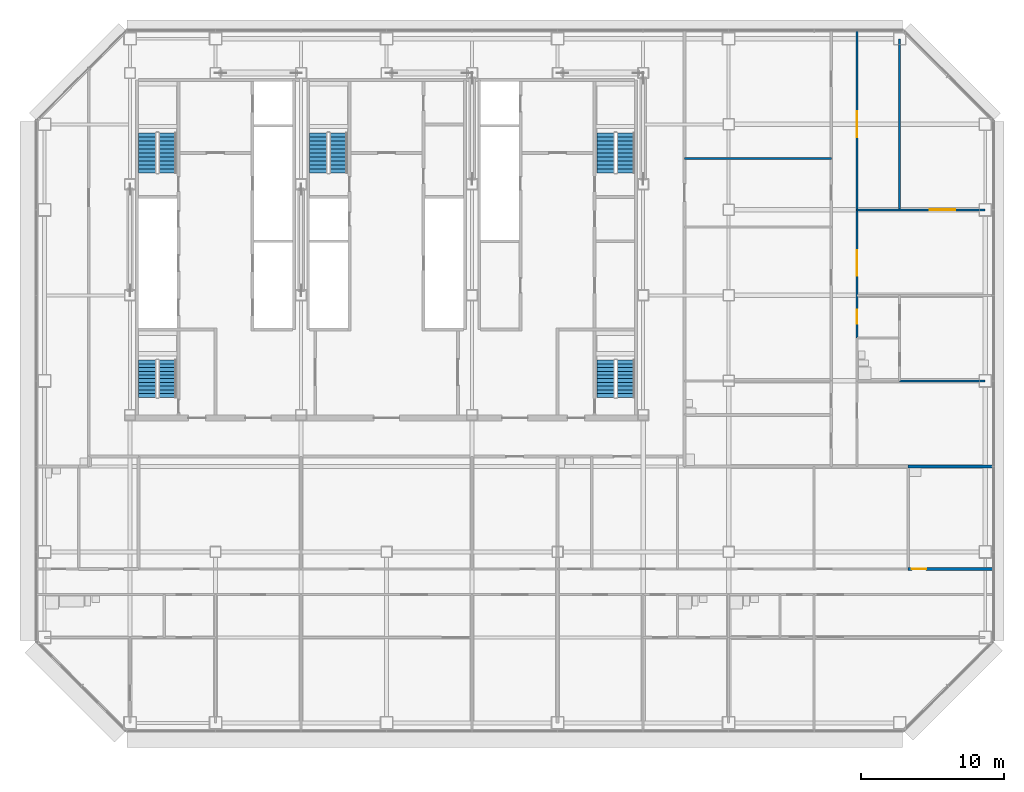
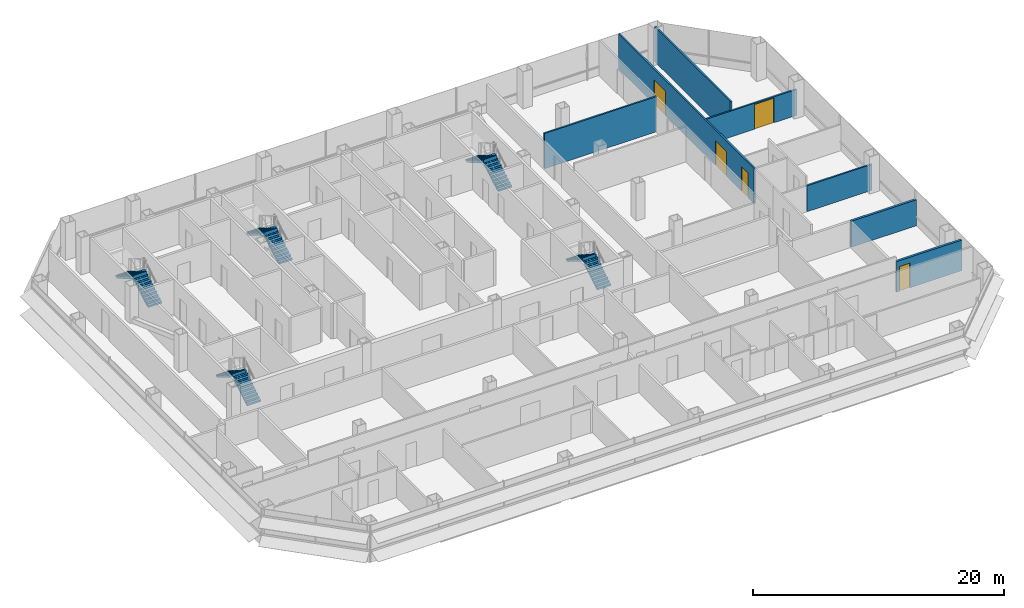
# One storey, part 24 of 27: 10 stair flights, 7 walls, 5 doors, 5 openings, 5 elements without a shape of their own.
"""IFC4 building model written with IfcOpenShell, lengths in metres."""

import ifcopenshell
import ifcopenshell.guid

model = None  # the IFC model being written
_history = None  # IfcOwnerHistory: only IFC2X3 demands one
_inside = {}  # id of a spatial element -> (the spatial element, [elements in it])
_under = {}  # id of a project, library or spatial element -> (it, [spatial elements below it])
_declared = {}  # id of a project -> (the project, [libraries it declares])
_typed = {}  # id of a type object -> (the type object, [elements of that type])
_made_of = {}  # id of a material, layer set ... -> (it, [elements and type objects made of it])


def new_model(schema):
    """Start an empty IFC model of exactly this schema.

    Asked for "IFC4X3", IfcOpenShell would pick the latest addendum, in which some entities
    have other attributes; the version numbers below select the first issue.
    IFC2X3 requires an IfcOwnerHistory on every rooted entity: one is made here for all.
    """
    global model, _history
    if schema == "IFC4X3":
        model = ifcopenshell.file(schema_version=(4, 3, 0, 0))
    else:
        model = ifcopenshell.file(schema=schema)
    _inside.clear()
    _under.clear()
    _declared.clear()
    _typed.clear()
    _made_of.clear()
    _history = None
    if model.schema == "IFC2X3":
        org = make("IfcOrganization", Name="unknown")
        user = make(
            "IfcPersonAndOrganization",
            ThePerson=make("IfcPerson", FamilyName="unknown"),
            TheOrganization=org,
        )
        app = make(
            "IfcApplication",
            ApplicationDeveloper=org,
            Version="unknown",
            ApplicationFullName="unknown",
            ApplicationIdentifier="unknown",
        )
        _history = make(
            "IfcOwnerHistory",
            OwningUser=user,
            OwningApplication=app,
            ChangeAction="ADDED",
            CreationDate=0,
        )
    return model


def make(cls, **values):
    """One entity of the class cls with the attributes given. An attribute that is None is left unset."""
    return model.create_entity(
        cls, **{name: value for name, value in values.items() if value is not None}
    )


def rooted(cls, **values):
    """An entity with a GlobalId (a new one), such as an element, a storey or a relation."""
    return make(cls, GlobalId=ifcopenshell.guid.new(), OwnerHistory=_history, **values)


def si_unit(unit_type, name, prefix=None):
    """IfcSIUnit, for example si_unit("LENGTHUNIT", "METRE", prefix="MILLI")."""
    return make("IfcSIUnit", UnitType=unit_type, Prefix=prefix, Name=name)


def assignment(units):
    """IfcUnitAssignment: the units of a project."""
    return None if units is None else make("IfcUnitAssignment", Units=units)


def point(xyz):
    """IfcCartesianPoint."""
    return None if xyz is None else make("IfcCartesianPoint", Coordinates=xyz)


def direction(xyz):
    """IfcDirection."""
    return None if xyz is None else make("IfcDirection", DirectionRatios=xyz)


def frame(location, z_axis=None, x_axis=None):
    """IfcAxis2Placement3D, a coordinate frame: its origin and axes. An axis left out is left unset."""
    return make(
        "IfcAxis2Placement3D",
        Location=point(location),
        Axis=direction(z_axis),
        RefDirection=direction(x_axis),
    )


def frame_2d(location, x_axis=None):
    """IfcAxis2Placement2D, a coordinate frame in the plane: its origin and x axis."""
    return make(
        "IfcAxis2Placement2D", Location=point(location), RefDirection=direction(x_axis)
    )


def origin():
    """The frame at (0, 0, 0) with its axes left unset."""
    return frame((0.0, 0.0, 0.0))


def place(relative_to, where):
    """IfcLocalPlacement: puts the frame where relative to a parent placement (None: the world)."""
    return make(
        "IfcLocalPlacement", PlacementRelTo=relative_to, RelativePlacement=where
    )


def context(
    kind, dimensions, precision=None, world=None, true_north=None, identifier=None
):
    """IfcGeometricRepresentationContext, for example the 3D "Model" context."""
    return make(
        "IfcGeometricRepresentationContext",
        ContextIdentifier=identifier,
        ContextType=kind,
        CoordinateSpaceDimension=dimensions,
        Precision=precision,
        WorldCoordinateSystem=world,
        TrueNorth=true_north,
    )


def subcontext(parent, identifier, kind, view, scale=None):
    """IfcGeometricRepresentationSubContext, for example "Body" below "Model"."""
    return make(
        "IfcGeometricRepresentationSubContext",
        ContextIdentifier=identifier,
        ContextType=kind,
        ParentContext=parent,
        TargetScale=scale,
        TargetView=view,
    )


def project(units=None, contexts=None):
    """IfcProject with its units and contexts."""
    return rooted(
        "IfcProject",
        Name="project",
        RepresentationContexts=contexts,
        UnitsInContext=assignment(units),
    )


def spatial(cls, under=None, at=None, **own):
    """A site, building, storey or space (cls), placed at a placement, below another one or the project."""
    s = rooted(cls, ObjectPlacement=at, **own)
    if under is not None:
        _under.setdefault(under.id(), (under, []))[1].append(s)
    return s


def polyline(points):
    """IfcPolyline through the points."""
    return make("IfcPolyline", Points=[point(p) for p in points])


def profile(cls, at=None, kind="AREA", **sizes):
    """A parametric profile (cls). Its sizes go by their IFC names, for example OverallWidth=200.0."""
    return make(cls, ProfileType=kind, Position=at, **sizes)


def rectangle(**sizes):
    """IfcRectangleProfileDef."""
    return profile("IfcRectangleProfileDef", **sizes)


def outline(outer, holes=None, kind="AREA"):
    """IfcArbitraryClosedProfileDef: a profile drawn as a closed curve; with holes, ...WithVoids."""
    if holes is None:
        return make("IfcArbitraryClosedProfileDef", ProfileType=kind, OuterCurve=outer)
    return make(
        "IfcArbitraryProfileDefWithVoids",
        ProfileType=kind,
        OuterCurve=outer,
        InnerCurves=holes,
    )


def extrude(swept, where, along, depth):
    """IfcExtrudedAreaSolid: the profile swept, set in the frame where, extruded along a direction by depth."""
    return make(
        "IfcExtrudedAreaSolid",
        SweptArea=swept,
        Position=where,
        ExtrudedDirection=direction(along),
        Depth=depth,
    )


def shape(context_of_items, identifier, shape_type, items):
    """IfcShapeRepresentation: the items that make up one representation, for example the "Body"."""
    return make(
        "IfcShapeRepresentation",
        ContextOfItems=context_of_items,
        RepresentationIdentifier=identifier,
        RepresentationType=shape_type,
        Items=items,
    )


def material(Name=None, Category=None):
    """IfcMaterial."""
    return make("IfcMaterial", Name=Name, Category=Category)


def layer(
    of_material, thickness, ventilated=None, Name=None, Category=None, Priority=None
):
    """IfcMaterialLayer: one layer of a wall or slab, of a material (None: an air gap)."""
    return make(
        "IfcMaterialLayer",
        Material=of_material,
        LayerThickness=thickness,
        IsVentilated=ventilated,
        Name=Name,
        Category=Category,
        Priority=Priority,
    )


def layer_set(layers, Name=None):
    """IfcMaterialLayerSet."""
    return make("IfcMaterialLayerSet", MaterialLayers=layers, LayerSetName=Name)


def made_of(thing, what):
    """Note that an element or type object is made of a material, layer set ...; save() writes the relation."""
    if what is not None:
        _made_of.setdefault(what.id(), (what, []))[1].append(thing)
    return thing


def type_object(cls, material=None, **own):
    """A type object (cls), such as IfcWallType, which elements share."""
    return made_of(rooted(cls, **own), material)


def element(
    cls,
    number,
    at=None,
    inside=None,
    cuts=None,
    type_object=None,
    material=None,
    context=None,
    identifier="Body",
    shape_type=None,
    held_by="IfcProductDefinitionShape",
    body=None,
    shapes=None,
    **own,
):
    """One element of the class cls, such as IfcWall. Its Tag is "e" and its number.

    at: its placement. inside: the storey or other place that contains it. cuts: it is an
    opening in that element (IfcRelVoidsElement). A single representation is given by context,
    identifier, shape_type and body (its items); several are given by shapes. held_by: the class
    of the entity that holds the representations. save() writes the other relations.
    """
    e = rooted(cls, Tag="e%d" % number, ObjectPlacement=at, **own)
    if body is not None:
        shapes = [shape(context, identifier, shape_type, body)]
    if shapes is not None:
        e.Representation = make(held_by, Representations=shapes)
    if inside is not None:
        _inside.setdefault(inside.id(), (inside, []))[1].append(e)
    if cuts is not None:
        rooted(
            "IfcRelVoidsElement", RelatingBuildingElement=cuts, RelatedOpeningElement=e
        )
    if type_object is not None:
        _typed.setdefault(type_object.id(), (type_object, []))[1].append(e)
    return made_of(e, material)


def fill(opening, filler):
    """IfcRelFillsElement: the door or window that sits in an opening."""
    return rooted(
        "IfcRelFillsElement",
        RelatingOpeningElement=opening,
        RelatedBuildingElement=filler,
    )


def aggregate(whole, parts):
    """IfcRelAggregates: a whole, such as a stair, and the parts it consists of."""
    return rooted("IfcRelAggregates", RelatingObject=whole, RelatedObjects=parts)


def save(model, path):
    """Write the relations noted so far, then the file.

    IfcRelAggregates (storeys below a building ...), IfcRelContainedInSpatialStructure (elements
    in a storey), IfcRelDefinesByType, IfcRelAssociatesMaterial and IfcRelDeclares: one each for
    every whole, place, type object, material and project.
    """
    for whole, parts in _under.values():
        aggregate(whole, parts)
    for where, things in _inside.values():
        rooted(
            "IfcRelContainedInSpatialStructure",
            RelatedElements=things,
            RelatingStructure=where,
        )
    for kind, things in _typed.values():
        rooted("IfcRelDefinesByType", RelatedObjects=things, RelatingType=kind)
    for what, things in _made_of.values():
        rooted("IfcRelAssociatesMaterial", RelatedObjects=things, RelatingMaterial=what)
    for by, libraries in _declared.values():
        rooted("IfcRelDeclares", RelatingContext=by, RelatedDefinitions=libraries)
    model.write(path)


model = new_model("IFC4")

# Units and contexts
model_context = context("Model", 3, precision=1e-05, world=origin(), true_north=direction((0.0, 1.0)))
body_context = subcontext(model_context, "Body", "Model", "MODEL_VIEW")
ifc_project = project(units=[si_unit("LENGTHUNIT", "METRE"), si_unit("AREAUNIT", "SQUARE_METRE"), si_unit("VOLUMEUNIT", "CUBIC_METRE"), si_unit("PLANEANGLEUNIT", "RADIAN"), si_unit("MASSUNIT", "GRAM", prefix="KILO")], contexts=[model_context])

# Site, building, storey
site_placement = place(None, origin())
site = spatial("IfcSite", under=ifc_project, at=site_placement, CompositionType="ELEMENT")
building_placement = place(site_placement, origin())
building = spatial("IfcBuilding", under=site, at=building_placement, Name="Sorahane Residences", CompositionType="ELEMENT")
storey_placement = place(building_placement, frame((0.0, 0.0, 53.39990234375)))
storey = spatial("IfcBuildingStorey", under=building, at=storey_placement, Name="L09", CompositionType="ELEMENT", Elevation=53.39990234375)

# Wall, opening, door
ifc_material_1 = material(Name="Concrete blockwork C20 wall", Category="masonry")
ifc_layer_1 = layer(ifc_material_1, 0.199951171875)
ifc_layer_set_1 = layer_set([ifc_layer_1], Name="Kitchen wall 200 EI 180")
wall_type_1 = type_object("IfcWallType", Name="Kitchen wall 200 EI 180", PredefinedType="SOLIDWALL", material=ifc_layer_set_1)
wall_1_placement = place(storey_placement, frame((60.60009765625, 10.800048828125, 0.0), z_axis=(0.0, 0.0, 1.0), x_axis=(1.0, 0.0, 0.0)))
wall_1 = element("IfcWall", 1, at=wall_1_placement, inside=storey, type_object=wall_type_1, Name="L09 kitchen wall", PredefinedType="SOLIDWALL", context=body_context, shape_type="SweptSolid", body=[
    extrude(rectangle(XDim=6.0, YDim=0.199951171875, at=frame_2d((3.0, 0.0))), origin(), (0.0, 0.0, 1.0), 2.97021484375),
])
opening_1_placement = place(wall_1_placement, frame((0.25, 0.0, 0.0)))
opening_1 = element("IfcOpeningElement", 2, at=opening_1_placement, cuts=wall_1, Name="Opening L09-18", PredefinedType="OPENING", context=body_context, shape_type="SweptSolid", body=[
    extrude(rectangle(XDim=1.0, YDim=2.39990234375, at=frame_2d((0.5, 1.199951171875))), frame((0.0, 0.10986328125, 0.0), z_axis=(0.0, -1.0, 0.0), x_axis=(1.0, 0.0, 0.0)), (0.0, 0.0, 1.0), 0.219970703125),
])
ifc_material_2 = material(Name="Steel", Category="steel")
door_type_1 = type_object("IfcDoorType", Name="Kitchen door 1000x2400 FD120", OperationType="NOTDEFINED", PredefinedType="DOOR", material=ifc_material_2)
door_1_placement = place(opening_1_placement, origin())
door_1 = element("IfcDoor", 3, at=door_1_placement, inside=storey, type_object=door_type_1, Name="Kitchen door L09-18", OperationType="SINGLE_SWING_RIGHT", OverallHeight=2.39990234375, OverallWidth=1.0, PredefinedType="DOOR", context=body_context, shape_type="SweptSolid", body=[
    extrude(rectangle(XDim=1.0, YDim=2.39990234375, at=frame_2d((0.5, 1.199951171875))), frame((0.0, 0.02490234375, 0.0), z_axis=(0.0, -1.0, 0.0), x_axis=(1.0, 0.0, 0.0)), (0.0, 0.0, 1.0), 0.050048828125),
])
fill(opening_1, door_1)

# Wall
wall_2_placement = place(storey_placement, frame((60.60009765625, 18.0, 0.0), z_axis=(0.0, 0.0, 1.0), x_axis=(1.0, 0.0, 0.0)))
element("IfcWall", 4, at=wall_2_placement, inside=storey, type_object=wall_type_1, Name="L09 kitchen wall", PredefinedType="SOLIDWALL", context=body_context, shape_type="SweptSolid", body=[
    extrude(rectangle(XDim=6.0, YDim=0.199951171875, at=frame_2d((3.0, 0.0))), origin(), (0.0, 0.0, 1.0), 2.52001953125),
])

# Wall, openings, doors
ifc_material_3 = material(Name="Gypsum board partition on steel studs", Category="steel")
ifc_layer_2 = layer(ifc_material_3, 0.14990234375)
ifc_layer_set_2 = layer_set([ifc_layer_2], Name="Partition 150 EI 90")
wall_type_2 = type_object("IfcWallType", Name="Partition 150 EI 90", PredefinedType="PARTITIONING", material=ifc_layer_set_2)
wall_3_placement = place(storey_placement, frame((57.0, 27.0, 0.0), z_axis=(0.0, 0.0, 1.0), x_axis=(0.0, 1.0, 0.0)))
wall_3 = element("IfcWall", 5, at=wall_3_placement, inside=storey, type_object=wall_type_2, Name="L09 partition", PredefinedType="PARTITIONING", context=body_context, shape_type="SweptSolid", body=[
    extrude(rectangle(XDim=21.60009765625, YDim=0.14990234375, at=frame_2d((10.800048828125, 0.0))), origin(), (0.0, 0.0, 1.0), 3.420166015625),
])
opening_2_placement = place(wall_3_placement, frame((1.0, 0.0, 0.0)))
opening_2 = element("IfcOpeningElement", 6, at=opening_2_placement, cuts=wall_3, Name="Opening L09-34", PredefinedType="OPENING", context=body_context, shape_type="SweptSolid", body=[
    extrude(rectangle(XDim=1.0, YDim=2.39990234375, at=frame_2d((0.5, 1.199951171875))), frame((0.0, 0.0849609375, 0.0), z_axis=(0.0, -1.0, 0.0), x_axis=(1.0, 0.0, 0.0)), (0.0, 0.0, 1.0), 0.169921875),
])
opening_3_placement = place(wall_3_placement, frame((4.360107421875, 0.0, 0.0)))
opening_3 = element("IfcOpeningElement", 7, at=opening_3_placement, cuts=wall_3, Name="Opening L09-35", PredefinedType="OPENING", context=body_context, shape_type="SweptSolid", body=[
    extrude(rectangle(XDim=1.800048828125, YDim=2.39990234375, at=frame_2d((0.89990234375, 1.199951171875))), frame((0.0, 0.0849609375, 0.0), z_axis=(0.0, -1.0, 0.0), x_axis=(1.0, 0.0, 0.0)), (0.0, 0.0, 1.0), 0.169921875),
])
opening_4_placement = place(wall_3_placement, frame((14.10009765625, 0.0, 0.0)))
opening_4 = element("IfcOpeningElement", 8, at=opening_4_placement, cuts=wall_3, Name="Opening L09-37", PredefinedType="OPENING", context=body_context, shape_type="SweptSolid", body=[
    extrude(rectangle(XDim=1.800048828125, YDim=2.39990234375, at=frame_2d((0.89990234375, 1.199951171875))), frame((0.0, 0.0849609375, 0.0), z_axis=(0.0, -1.0, 0.0), x_axis=(1.0, 0.0, 0.0)), (0.0, 0.0, 1.0), 0.169921875),
])
ifc_material_4 = material(Name="Timber veneered fire door", Category="wood")
door_type_2 = type_object("IfcDoorType", Name="Double door 1800x2400 FD30", OperationType="NOTDEFINED", PredefinedType="DOOR", material=ifc_material_4)
door_2_placement = place(opening_3_placement, frame((1.800048828125, 0.0, 0.0), z_axis=(0.0, 0.0, 1.0), x_axis=(-1.0, 0.0, 0.0)))
door_2 = element("IfcDoor", 9, at=door_2_placement, inside=storey, type_object=door_type_2, Name="Double door L09-35", OperationType="SINGLE_SWING_LEFT", OverallHeight=2.39990234375, OverallWidth=1.800048828125, PredefinedType="DOOR", context=body_context, shape_type="SweptSolid", body=[
    extrude(rectangle(XDim=1.800048828125, YDim=2.39990234375, at=frame_2d((0.89990234375, 1.199951171875))), frame((0.0, 0.02490234375, 0.0), z_axis=(0.0, -1.0, 0.0), x_axis=(1.0, 0.0, 0.0)), (0.0, 0.0, 1.0), 0.050048828125),
])
fill(opening_3, door_2)
door_3_placement = place(opening_4_placement, frame((1.800048828125, 0.0, 0.0), z_axis=(0.0, 0.0, 1.0), x_axis=(-1.0, 0.0, 0.0)))
door_3 = element("IfcDoor", 10, at=door_3_placement, inside=storey, type_object=door_type_2, Name="Double door L09-37", OperationType="SINGLE_SWING_RIGHT", OverallHeight=2.39990234375, OverallWidth=1.800048828125, PredefinedType="DOOR", context=body_context, shape_type="SweptSolid", body=[
    extrude(rectangle(XDim=1.800048828125, YDim=2.39990234375, at=frame_2d((0.89990234375, 1.199951171875))), frame((0.0, 0.02490234375, 0.0), z_axis=(0.0, -1.0, 0.0), x_axis=(1.0, 0.0, 0.0)), (0.0, 0.0, 1.0), 0.050048828125),
])
fill(opening_4, door_3)
ifc_material_5 = material(Name="Timber veneered fire door", Category="wood")
door_type_3 = type_object("IfcDoorType", Name="Room door 1000x2400 FD30", OperationType="NOTDEFINED", PredefinedType="DOOR", material=ifc_material_5)
door_4_placement = place(opening_2_placement, frame((1.0, 0.0, 0.0), z_axis=(0.0, 0.0, 1.0), x_axis=(-1.0, 0.0, 0.0)))
door_4 = element("IfcDoor", 11, at=door_4_placement, inside=storey, type_object=door_type_3, Name="Room door L09-34", OperationType="SINGLE_SWING_LEFT", OverallHeight=2.39990234375, OverallWidth=1.0, PredefinedType="DOOR", context=body_context, shape_type="SweptSolid", body=[
    extrude(rectangle(XDim=1.0, YDim=2.39990234375, at=frame_2d((0.5, 1.199951171875))), frame((0.0, 0.02490234375, 0.0), z_axis=(0.0, -1.0, 0.0), x_axis=(1.0, 0.0, 0.0)), (0.0, 0.0, 1.0), 0.050048828125),
])
fill(opening_2, door_4)

# Walls
wall_4_placement = place(storey_placement, frame((60.0, 36.0, 0.0), z_axis=(0.0, 0.0, 1.0), x_axis=(0.0, 1.0, 0.0)))
element("IfcWall", 12, at=wall_4_placement, inside=storey, type_object=wall_type_2, Name="L09 partition", PredefinedType="PARTITIONING", context=body_context, shape_type="SweptSolid", body=[
    extrude(rectangle(XDim=12.0, YDim=0.14990234375, at=frame_2d((6.0, 0.0))), origin(), (0.0, 0.0, 1.0), 3.420166015625),
])
wall_5_placement = place(storey_placement, frame((60.0, 24.0, 0.0), z_axis=(0.0, 0.0, 1.0), x_axis=(1.0, 0.0, 0.0)))
element("IfcWall", 13, at=wall_5_placement, inside=storey, type_object=wall_type_2, Name="L09 partition", PredefinedType="PARTITIONING", context=body_context, shape_type="SweptSolid", body=[
    extrude(rectangle(XDim=6.0, YDim=0.14990234375, at=frame_2d((3.0, 0.0))), origin(), (0.0, 0.0, 1.0), 2.52001953125),
])

# Wall, opening, door
wall_6_placement = place(storey_placement, frame((57.0, 36.0, 0.0), z_axis=(0.0, 0.0, 1.0), x_axis=(1.0, 0.0, 0.0)))
wall_6 = element("IfcWall", 14, at=wall_6_placement, inside=storey, type_object=wall_type_2, Name="L09 partition", PredefinedType="PARTITIONING", context=body_context, shape_type="SweptSolid", body=[
    extrude(rectangle(XDim=9.0, YDim=0.14990234375, at=frame_2d((4.5, 0.0))), origin(), (0.0, 0.0, 1.0), 2.52001953125),
])
opening_5_placement = place(wall_6_placement, frame((5.10009765625, 0.0, 0.0)))
opening_5 = element("IfcOpeningElement", 15, at=opening_5_placement, cuts=wall_6, Name="Opening L09-36", PredefinedType="OPENING", context=body_context, shape_type="SweptSolid", body=[
    extrude(rectangle(XDim=1.800048828125, YDim=2.39990234375, at=frame_2d((0.89990234375, 1.199951171875))), frame((0.0, 0.0849609375, 0.0), z_axis=(0.0, -1.0, 0.0), x_axis=(1.0, 0.0, 0.0)), (0.0, 0.0, 1.0), 0.169921875),
])
door_5_placement = place(opening_5_placement, origin())
door_5 = element("IfcDoor", 16, at=door_5_placement, inside=storey, type_object=door_type_2, Name="Double door L09-36", OperationType="SINGLE_SWING_LEFT", OverallHeight=2.39990234375, OverallWidth=1.800048828125, PredefinedType="DOOR", context=body_context, shape_type="SweptSolid", body=[
    extrude(rectangle(XDim=1.800048828125, YDim=2.39990234375, at=frame_2d((0.89990234375, 1.199951171875))), frame((0.0, 0.02490234375, 0.0), z_axis=(0.0, -1.0, 0.0), x_axis=(1.0, 0.0, 0.0)), (0.0, 0.0, 1.0), 0.050048828125),
])
fill(opening_5, door_5)

# Wall
wall_7_placement = place(storey_placement, frame((44.89990234375, 39.60009765625, 0.0), z_axis=(0.0, 0.0, 1.0), x_axis=(1.0, 0.0, 0.0)))
element("IfcWall", 17, at=wall_7_placement, inside=storey, type_object=wall_type_2, Name="L09 partition", PredefinedType="PARTITIONING", context=body_context, shape_type="SweptSolid", body=[
    extrude(rectangle(XDim=10.300048828125, YDim=0.14990234375, at=frame_2d((5.14990234375, 0.0))), origin(), (0.0, 0.0, 1.0), 3.420166015625),
])

# Stair, stair flights
ifc_material_6 = material(Name="Concrete C40", Category="concrete")
stair_type = type_object("IfcStairType", Name="Dog-leg stair 1250 Concrete C40", PredefinedType="HALF_TURN_STAIR", material=ifc_material_6)
stair_1_placement = place(storey_placement, origin())
stair_1 = element("IfcStair", 18, at=stair_1_placement, inside=storey, type_object=stair_type, Name="L09 Stair S1", PredefinedType="HALF_TURN_STAIR")
ifc_material_7 = material(Name="Concrete C40", Category="concrete")
stair_flight_type = type_object("IfcStairFlightType", Name="Stair flight 1250 Concrete C40", PredefinedType="STRAIGHT", material=ifc_material_7)
stair_flight_1_placement = place(storey_placement, frame((8.625, 38.60009765625, 0.0), z_axis=(0.0, 0.0, 1.0), x_axis=(0.0, 1.0, 0.0)))
stair_flight_1 = element("IfcStairFlight", 19, at=stair_flight_1_placement, type_object=stair_flight_type, Name="S1 flight 1", NumberOfRisers=11, NumberOfTreads=10, PredefinedType="STRAIGHT", RiserHeight=0.163636364, TreadLength=0.28, context=body_context, shape_type="SweptSolid", body=[
    extrude(outline(polyline([(-0.00146484375, 0.0), (-0.00146484375, 0.16357421875), (0.0, 0.16357421875), (0.280029296875, 0.16357421875), (0.280029296875, 0.327392578125), (0.56005859375, 0.327392578125), (0.56005859375, 0.490966796875), (0.840087890625, 0.490966796875), (0.840087890625, 0.654541015625), (1.1201171875, 0.654541015625), (1.1201171875, 0.818115234375), (1.39990234375, 0.818115234375), (1.39990234375, 0.98193359375), (1.679931640625, 0.98193359375), (1.679931640625, 1.1455078125), (1.9599609375, 1.1455078125), (1.9599609375, 1.30908203125), (2.239990234375, 1.30908203125), (2.239990234375, 1.47265625), (2.52001953125, 1.47265625), (2.52001953125, 1.636474609375), (2.800048828125, 1.636474609375), (2.800048828125, 1.800048828125), (2.800048828125, 1.462646484375), (2.59130859375, 1.3408203125), (2.3828125, 1.218994140625), (2.17431640625, 1.09716796875), (1.965576171875, 0.97509765625), (1.757080078125, 0.853271484375), (1.548583984375, 0.7314453125), (1.340087890625, 0.609375), (1.13134765625, 0.487548828125), (0.9228515625, 0.36572265625), (0.71435546875, 0.243896484375), (0.505615234375, 0.121826171875), (0.297119140625, 0.0), (-0.00146484375, 0.0)])), frame((0.0, 0.625, 0.0), z_axis=(0.0, -1.0, 0.0), x_axis=(1.0, 0.0, 0.0)), (0.0, 0.0, 1.0), 1.25),
])
stair_flight_2_placement = place(storey_placement, frame((7.22509765625, 41.39990234375, 1.800048828125), z_axis=(0.0, 0.0, 1.0), x_axis=(0.0, -1.0, 0.0)))
stair_flight_2 = element("IfcStairFlight", 20, at=stair_flight_2_placement, type_object=stair_flight_type, Name="S1 flight 2", NumberOfRisers=11, NumberOfTreads=10, PredefinedType="STRAIGHT", RiserHeight=0.163636364, TreadLength=0.28, context=body_context, shape_type="SweptSolid", body=[
    extrude(outline(polyline([(0.0, 0.0), (0.0, 0.16357421875), (0.280029296875, 0.16357421875), (0.280029296875, 0.327392578125), (0.56005859375, 0.327392578125), (0.56005859375, 0.490966796875), (0.840087890625, 0.490966796875), (0.840087890625, 0.654541015625), (1.1201171875, 0.654541015625), (1.1201171875, 0.818115234375), (1.39990234375, 0.818115234375), (1.39990234375, 0.98193359375), (1.679931640625, 0.98193359375), (1.679931640625, 1.1455078125), (1.9599609375, 1.1455078125), (1.9599609375, 1.30908203125), (2.239990234375, 1.30908203125), (2.239990234375, 1.47265625), (2.52001953125, 1.47265625), (2.52001953125, 1.636474609375), (2.800048828125, 1.636474609375), (2.800048828125, 1.800048828125), (2.801513671875, 1.800048828125), (2.801513671875, 1.462646484375), (2.5927734375, 1.3408203125), (2.384033203125, 1.218994140625), (2.17529296875, 1.09716796875), (1.966796875, 0.97509765625), (1.758056640625, 0.853271484375), (1.54931640625, 0.7314453125), (1.340576171875, 0.609375), (1.1318359375, 0.487548828125), (0.923095703125, 0.36572265625), (0.714599609375, 0.243896484375), (0.505859375, 0.121826171875), (0.297119140625, 0.0), (0.0, 0.0)])), frame((0.0, 0.625, 0.0), z_axis=(0.0, -1.0, 0.0), x_axis=(1.0, 0.0, 0.0)), (0.0, 0.0, 1.0), 1.25),
])
aggregate(stair_1, [stair_flight_1, stair_flight_2])

stair_2_placement = place(storey_placement, origin())
stair_2 = element("IfcStair", 21, at=stair_2_placement, inside=storey, type_object=stair_type, Name="L09 Stair S2", PredefinedType="HALF_TURN_STAIR")
stair_flight_3_placement = place(storey_placement, frame((40.77490234375, 38.60009765625, 0.0), z_axis=(0.0, 0.0, 1.0), x_axis=(0.0, 1.0, 0.0)))
stair_flight_3 = element("IfcStairFlight", 22, at=stair_flight_3_placement, type_object=stair_flight_type, Name="S2 flight 1", NumberOfRisers=11, NumberOfTreads=10, PredefinedType="STRAIGHT", RiserHeight=0.163636364, TreadLength=0.28, context=body_context, shape_type="SweptSolid", body=[
    extrude(outline(polyline([(-0.00146484375, 0.0), (-0.00146484375, 0.16357421875), (0.0, 0.16357421875), (0.280029296875, 0.16357421875), (0.280029296875, 0.327392578125), (0.56005859375, 0.327392578125), (0.56005859375, 0.490966796875), (0.840087890625, 0.490966796875), (0.840087890625, 0.654541015625), (1.1201171875, 0.654541015625), (1.1201171875, 0.818115234375), (1.39990234375, 0.818115234375), (1.39990234375, 0.98193359375), (1.679931640625, 0.98193359375), (1.679931640625, 1.1455078125), (1.9599609375, 1.1455078125), (1.9599609375, 1.30908203125), (2.239990234375, 1.30908203125), (2.239990234375, 1.47265625), (2.52001953125, 1.47265625), (2.52001953125, 1.636474609375), (2.800048828125, 1.636474609375), (2.800048828125, 1.800048828125), (2.800048828125, 1.462646484375), (2.59130859375, 1.3408203125), (2.3828125, 1.218994140625), (2.17431640625, 1.09716796875), (1.965576171875, 0.97509765625), (1.757080078125, 0.853271484375), (1.548583984375, 0.7314453125), (1.340087890625, 0.609375), (1.13134765625, 0.487548828125), (0.9228515625, 0.36572265625), (0.71435546875, 0.243896484375), (0.505615234375, 0.121826171875), (0.297119140625, 0.0), (-0.00146484375, 0.0)])), frame((0.0, 0.625, 0.0), z_axis=(0.0, -1.0, 0.0), x_axis=(1.0, 0.0, 0.0)), (0.0, 0.0, 1.0), 1.25),
])
stair_flight_4_placement = place(storey_placement, frame((39.375, 41.39990234375, 1.800048828125), z_axis=(0.0, 0.0, 1.0), x_axis=(0.0, -1.0, 0.0)))
stair_flight_4 = element("IfcStairFlight", 23, at=stair_flight_4_placement, type_object=stair_flight_type, Name="S2 flight 2", NumberOfRisers=11, NumberOfTreads=10, PredefinedType="STRAIGHT", RiserHeight=0.163636364, TreadLength=0.28, context=body_context, shape_type="SweptSolid", body=[
    extrude(outline(polyline([(0.0, 0.0), (0.0, 0.16357421875), (0.280029296875, 0.16357421875), (0.280029296875, 0.327392578125), (0.56005859375, 0.327392578125), (0.56005859375, 0.490966796875), (0.840087890625, 0.490966796875), (0.840087890625, 0.654541015625), (1.1201171875, 0.654541015625), (1.1201171875, 0.818115234375), (1.39990234375, 0.818115234375), (1.39990234375, 0.98193359375), (1.679931640625, 0.98193359375), (1.679931640625, 1.1455078125), (1.9599609375, 1.1455078125), (1.9599609375, 1.30908203125), (2.239990234375, 1.30908203125), (2.239990234375, 1.47265625), (2.52001953125, 1.47265625), (2.52001953125, 1.636474609375), (2.800048828125, 1.636474609375), (2.800048828125, 1.800048828125), (2.801513671875, 1.800048828125), (2.801513671875, 1.462646484375), (2.5927734375, 1.3408203125), (2.384033203125, 1.218994140625), (2.17529296875, 1.09716796875), (1.966796875, 0.97509765625), (1.758056640625, 0.853271484375), (1.54931640625, 0.7314453125), (1.340576171875, 0.609375), (1.1318359375, 0.487548828125), (0.923095703125, 0.36572265625), (0.714599609375, 0.243896484375), (0.505859375, 0.121826171875), (0.297119140625, 0.0), (0.0, 0.0)])), frame((0.0, 0.625, 0.0), z_axis=(0.0, -1.0, 0.0), x_axis=(1.0, 0.0, 0.0)), (0.0, 0.0, 1.0), 1.25),
])
aggregate(stair_2, [stair_flight_3, stair_flight_4])

stair_3_placement = place(storey_placement, origin())
stair_3 = element("IfcStair", 24, at=stair_3_placement, inside=storey, type_object=stair_type, Name="L09 Stair S3", PredefinedType="HALF_TURN_STAIR")
stair_flight_5_placement = place(storey_placement, frame((20.625, 38.60009765625, 0.0), z_axis=(0.0, 0.0, 1.0), x_axis=(0.0, 1.0, 0.0)))
stair_flight_5 = element("IfcStairFlight", 25, at=stair_flight_5_placement, type_object=stair_flight_type, Name="S3 flight 1", NumberOfRisers=11, NumberOfTreads=10, PredefinedType="STRAIGHT", RiserHeight=0.163636364, TreadLength=0.28, context=body_context, shape_type="SweptSolid", body=[
    extrude(outline(polyline([(-0.00146484375, 0.0), (-0.00146484375, 0.16357421875), (0.0, 0.16357421875), (0.280029296875, 0.16357421875), (0.280029296875, 0.327392578125), (0.56005859375, 0.327392578125), (0.56005859375, 0.490966796875), (0.840087890625, 0.490966796875), (0.840087890625, 0.654541015625), (1.1201171875, 0.654541015625), (1.1201171875, 0.818115234375), (1.39990234375, 0.818115234375), (1.39990234375, 0.98193359375), (1.679931640625, 0.98193359375), (1.679931640625, 1.1455078125), (1.9599609375, 1.1455078125), (1.9599609375, 1.30908203125), (2.239990234375, 1.30908203125), (2.239990234375, 1.47265625), (2.52001953125, 1.47265625), (2.52001953125, 1.636474609375), (2.800048828125, 1.636474609375), (2.800048828125, 1.800048828125), (2.800048828125, 1.462646484375), (2.59130859375, 1.3408203125), (2.3828125, 1.218994140625), (2.17431640625, 1.09716796875), (1.965576171875, 0.97509765625), (1.757080078125, 0.853271484375), (1.548583984375, 0.7314453125), (1.340087890625, 0.609375), (1.13134765625, 0.487548828125), (0.9228515625, 0.36572265625), (0.71435546875, 0.243896484375), (0.505615234375, 0.121826171875), (0.297119140625, 0.0), (-0.00146484375, 0.0)])), frame((0.0, 0.625, 0.0), z_axis=(0.0, -1.0, 0.0), x_axis=(1.0, 0.0, 0.0)), (0.0, 0.0, 1.0), 1.25),
])
stair_flight_6_placement = place(storey_placement, frame((19.22509765625, 41.39990234375, 1.800048828125), z_axis=(0.0, 0.0, 1.0), x_axis=(0.0, -1.0, 0.0)))
stair_flight_6 = element("IfcStairFlight", 26, at=stair_flight_6_placement, type_object=stair_flight_type, Name="S3 flight 2", NumberOfRisers=11, NumberOfTreads=10, PredefinedType="STRAIGHT", RiserHeight=0.163636364, TreadLength=0.28, context=body_context, shape_type="SweptSolid", body=[
    extrude(outline(polyline([(0.0, 0.0), (0.0, 0.16357421875), (0.280029296875, 0.16357421875), (0.280029296875, 0.327392578125), (0.56005859375, 0.327392578125), (0.56005859375, 0.490966796875), (0.840087890625, 0.490966796875), (0.840087890625, 0.654541015625), (1.1201171875, 0.654541015625), (1.1201171875, 0.818115234375), (1.39990234375, 0.818115234375), (1.39990234375, 0.98193359375), (1.679931640625, 0.98193359375), (1.679931640625, 1.1455078125), (1.9599609375, 1.1455078125), (1.9599609375, 1.30908203125), (2.239990234375, 1.30908203125), (2.239990234375, 1.47265625), (2.52001953125, 1.47265625), (2.52001953125, 1.636474609375), (2.800048828125, 1.636474609375), (2.800048828125, 1.800048828125), (2.801513671875, 1.800048828125), (2.801513671875, 1.462646484375), (2.5927734375, 1.3408203125), (2.384033203125, 1.218994140625), (2.17529296875, 1.09716796875), (1.966796875, 0.97509765625), (1.758056640625, 0.853271484375), (1.54931640625, 0.7314453125), (1.340576171875, 0.609375), (1.1318359375, 0.487548828125), (0.923095703125, 0.36572265625), (0.714599609375, 0.243896484375), (0.505859375, 0.121826171875), (0.297119140625, 0.0), (0.0, 0.0)])), frame((0.0, 0.625, 0.0), z_axis=(0.0, -1.0, 0.0), x_axis=(1.0, 0.0, 0.0)), (0.0, 0.0, 1.0), 1.25),
])
aggregate(stair_3, [stair_flight_5, stair_flight_6])

stair_4_placement = place(storey_placement, origin())
stair_4 = element("IfcStair", 27, at=stair_4_placement, inside=storey, type_object=stair_type, Name="L09 Stair S4", PredefinedType="HALF_TURN_STAIR")
stair_flight_7_placement = place(storey_placement, frame((8.625, 22.85009765625, 0.0), z_axis=(0.0, 0.0, 1.0), x_axis=(0.0, 1.0, 0.0)))
stair_flight_7 = element("IfcStairFlight", 28, at=stair_flight_7_placement, type_object=stair_flight_type, Name="S4 flight 1", NumberOfRisers=11, NumberOfTreads=10, PredefinedType="STRAIGHT", RiserHeight=0.163636364, TreadLength=0.26, context=body_context, shape_type="SweptSolid", body=[
    extrude(outline(polyline([(-0.00146484375, 0.0), (-0.00146484375, 0.16357421875), (0.0, 0.16357421875), (0.260009765625, 0.16357421875), (0.260009765625, 0.327392578125), (0.52001953125, 0.327392578125), (0.52001953125, 0.490966796875), (0.780029296875, 0.490966796875), (0.780029296875, 0.654541015625), (1.0400390625, 0.654541015625), (1.0400390625, 0.818115234375), (1.300048828125, 0.818115234375), (1.300048828125, 0.98193359375), (1.56005859375, 0.98193359375), (1.56005859375, 1.1455078125), (1.820068359375, 1.1455078125), (1.820068359375, 1.30908203125), (2.080078125, 1.30908203125), (2.080078125, 1.47265625), (2.340087890625, 1.47265625), (2.340087890625, 1.636474609375), (2.60009765625, 1.636474609375), (2.60009765625, 1.800048828125), (2.60009765625, 1.494384765625), (2.402099609375, 1.369873046875), (2.204345703125, 1.245361328125), (2.00634765625, 1.120849609375), (1.80859375, 0.996337890625), (1.610595703125, 0.871826171875), (1.412841796875, 0.747314453125), (1.21484375, 0.622802734375), (1.01708984375, 0.498046875), (0.819091796875, 0.37353515625), (0.621337890625, 0.2490234375), (0.42333984375, 0.12451171875), (0.2255859375, 0.0), (-0.00146484375, 0.0)])), frame((0.0, 0.625, 0.0), z_axis=(0.0, -1.0, 0.0), x_axis=(1.0, 0.0, 0.0)), (0.0, 0.0, 1.0), 1.25),
])
stair_flight_8_placement = place(storey_placement, frame((7.22509765625, 25.449951171875, 1.800048828125), z_axis=(0.0, 0.0, 1.0), x_axis=(0.0, -1.0, 0.0)))
stair_flight_8 = element("IfcStairFlight", 29, at=stair_flight_8_placement, type_object=stair_flight_type, Name="S4 flight 2", NumberOfRisers=11, NumberOfTreads=10, PredefinedType="STRAIGHT", RiserHeight=0.163636364, TreadLength=0.26, context=body_context, shape_type="SweptSolid", body=[
    extrude(outline(polyline([(0.0, 0.0), (0.0, 0.16357421875), (0.260009765625, 0.16357421875), (0.260009765625, 0.327392578125), (0.52001953125, 0.327392578125), (0.52001953125, 0.490966796875), (0.780029296875, 0.490966796875), (0.780029296875, 0.654541015625), (1.0400390625, 0.654541015625), (1.0400390625, 0.818115234375), (1.300048828125, 0.818115234375), (1.300048828125, 0.98193359375), (1.56005859375, 0.98193359375), (1.56005859375, 1.1455078125), (1.820068359375, 1.1455078125), (1.820068359375, 1.30908203125), (2.080078125, 1.30908203125), (2.080078125, 1.47265625), (2.340087890625, 1.47265625), (2.340087890625, 1.636474609375), (2.60009765625, 1.636474609375), (2.60009765625, 1.800048828125), (2.6015625, 1.800048828125), (2.6015625, 1.494384765625), (2.403564453125, 1.369873046875), (2.20556640625, 1.245361328125), (2.007568359375, 1.120849609375), (1.8095703125, 0.996337890625), (1.611572265625, 0.871826171875), (1.41357421875, 0.747314453125), (1.215576171875, 0.622802734375), (1.017578125, 0.498046875), (0.819580078125, 0.37353515625), (0.62158203125, 0.2490234375), (0.423583984375, 0.12451171875), (0.2255859375, 0.0), (0.0, 0.0)])), frame((0.0, 0.625, 0.0), z_axis=(0.0, -1.0, 0.0), x_axis=(1.0, 0.0, 0.0)), (0.0, 0.0, 1.0), 1.25),
])
aggregate(stair_4, [stair_flight_7, stair_flight_8])

stair_5_placement = place(storey_placement, origin())
stair_5 = element("IfcStair", 30, at=stair_5_placement, inside=storey, type_object=stair_type, Name="L09 Stair S5", PredefinedType="HALF_TURN_STAIR")
stair_flight_9_placement = place(storey_placement, frame((40.77490234375, 22.85009765625, 0.0), z_axis=(0.0, 0.0, 1.0), x_axis=(0.0, 1.0, 0.0)))
stair_flight_9 = element("IfcStairFlight", 31, at=stair_flight_9_placement, type_object=stair_flight_type, Name="S5 flight 1", NumberOfRisers=11, NumberOfTreads=10, PredefinedType="STRAIGHT", RiserHeight=0.163636364, TreadLength=0.26, context=body_context, shape_type="SweptSolid", body=[
    extrude(outline(polyline([(-0.00146484375, 0.0), (-0.00146484375, 0.16357421875), (0.0, 0.16357421875), (0.260009765625, 0.16357421875), (0.260009765625, 0.327392578125), (0.52001953125, 0.327392578125), (0.52001953125, 0.490966796875), (0.780029296875, 0.490966796875), (0.780029296875, 0.654541015625), (1.0400390625, 0.654541015625), (1.0400390625, 0.818115234375), (1.300048828125, 0.818115234375), (1.300048828125, 0.98193359375), (1.56005859375, 0.98193359375), (1.56005859375, 1.1455078125), (1.820068359375, 1.1455078125), (1.820068359375, 1.30908203125), (2.080078125, 1.30908203125), (2.080078125, 1.47265625), (2.340087890625, 1.47265625), (2.340087890625, 1.636474609375), (2.60009765625, 1.636474609375), (2.60009765625, 1.800048828125), (2.60009765625, 1.494384765625), (2.402099609375, 1.369873046875), (2.204345703125, 1.245361328125), (2.00634765625, 1.120849609375), (1.80859375, 0.996337890625), (1.610595703125, 0.871826171875), (1.412841796875, 0.747314453125), (1.21484375, 0.622802734375), (1.01708984375, 0.498046875), (0.819091796875, 0.37353515625), (0.621337890625, 0.2490234375), (0.42333984375, 0.12451171875), (0.2255859375, 0.0), (-0.00146484375, 0.0)])), frame((0.0, 0.625, 0.0), z_axis=(0.0, -1.0, 0.0), x_axis=(1.0, 0.0, 0.0)), (0.0, 0.0, 1.0), 1.25),
])
stair_flight_10_placement = place(storey_placement, frame((39.375, 25.449951171875, 1.800048828125), z_axis=(0.0, 0.0, 1.0), x_axis=(0.0, -1.0, 0.0)))
stair_flight_10 = element("IfcStairFlight", 32, at=stair_flight_10_placement, type_object=stair_flight_type, Name="S5 flight 2", NumberOfRisers=11, NumberOfTreads=10, PredefinedType="STRAIGHT", RiserHeight=0.163636364, TreadLength=0.26, context=body_context, shape_type="SweptSolid", body=[
    extrude(outline(polyline([(0.0, 0.0), (0.0, 0.16357421875), (0.260009765625, 0.16357421875), (0.260009765625, 0.327392578125), (0.52001953125, 0.327392578125), (0.52001953125, 0.490966796875), (0.780029296875, 0.490966796875), (0.780029296875, 0.654541015625), (1.0400390625, 0.654541015625), (1.0400390625, 0.818115234375), (1.300048828125, 0.818115234375), (1.300048828125, 0.98193359375), (1.56005859375, 0.98193359375), (1.56005859375, 1.1455078125), (1.820068359375, 1.1455078125), (1.820068359375, 1.30908203125), (2.080078125, 1.30908203125), (2.080078125, 1.47265625), (2.340087890625, 1.47265625), (2.340087890625, 1.636474609375), (2.60009765625, 1.636474609375), (2.60009765625, 1.800048828125), (2.6015625, 1.800048828125), (2.6015625, 1.494384765625), (2.403564453125, 1.369873046875), (2.20556640625, 1.245361328125), (2.007568359375, 1.120849609375), (1.8095703125, 0.996337890625), (1.611572265625, 0.871826171875), (1.41357421875, 0.747314453125), (1.215576171875, 0.622802734375), (1.017578125, 0.498046875), (0.819580078125, 0.37353515625), (0.62158203125, 0.2490234375), (0.423583984375, 0.12451171875), (0.2255859375, 0.0), (0.0, 0.0)])), frame((0.0, 0.625, 0.0), z_axis=(0.0, -1.0, 0.0), x_axis=(1.0, 0.0, 0.0)), (0.0, 0.0, 1.0), 1.25),
])
aggregate(stair_5, [stair_flight_9, stair_flight_10])

save(model, "model.ifc")
